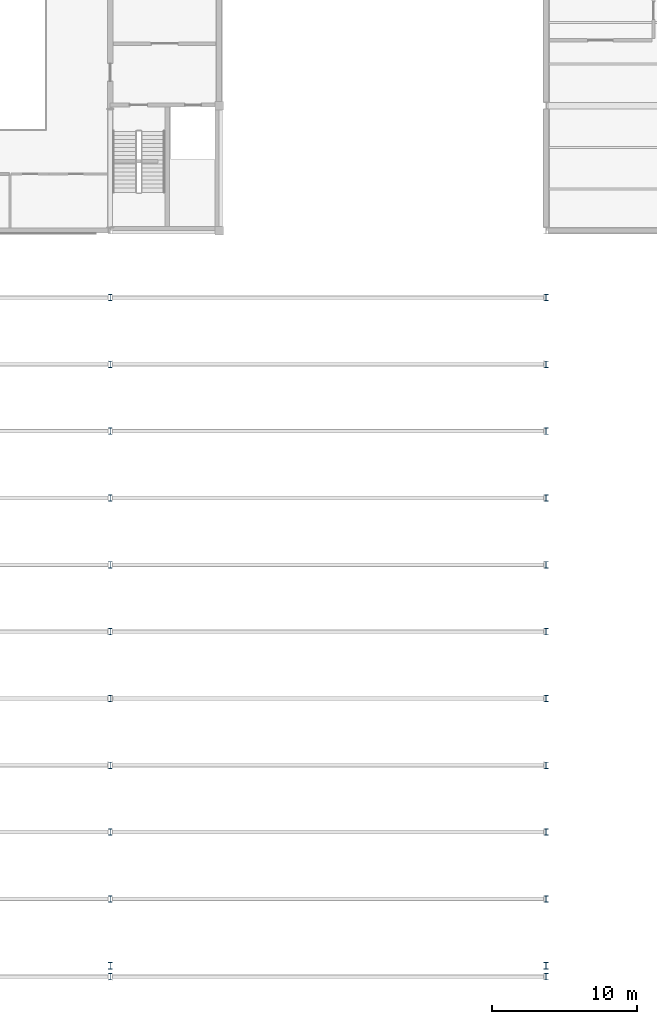
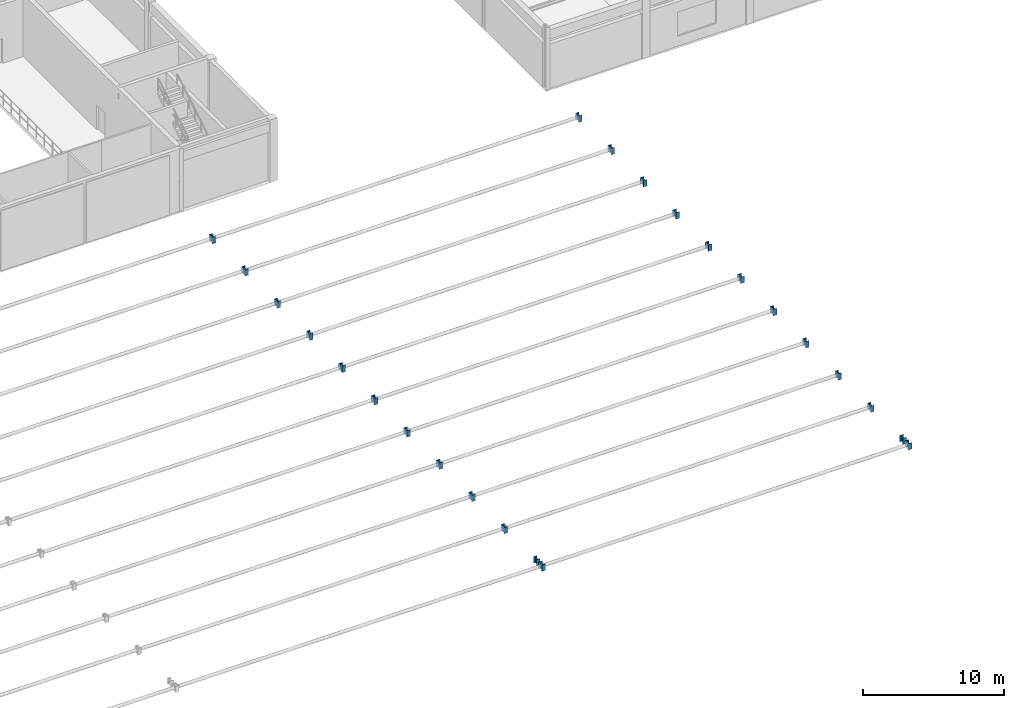
# One storey, part 9 of 38: 24 columns.
"""IFC4 building model written with IfcOpenShell, lengths in metres."""

import ifcopenshell
import ifcopenshell.guid

model = None  # the IFC model being written
_history = None  # IfcOwnerHistory: only IFC2X3 demands one
_inside = {}  # id of a spatial element -> (the spatial element, [elements in it])
_under = {}  # id of a project, library or spatial element -> (it, [spatial elements below it])
_declared = {}  # id of a project -> (the project, [libraries it declares])
_typed = {}  # id of a type object -> (the type object, [elements of that type])
_made_of = {}  # id of a material, layer set ... -> (it, [elements and type objects made of it])


def new_model(schema):
    """Start an empty IFC model of exactly this schema.

    Asked for "IFC4X3", IfcOpenShell would pick the latest addendum, in which some entities
    have other attributes; the version numbers below select the first issue.
    IFC2X3 requires an IfcOwnerHistory on every rooted entity: one is made here for all.
    """
    global model, _history
    if schema == "IFC4X3":
        model = ifcopenshell.file(schema_version=(4, 3, 0, 0))
    else:
        model = ifcopenshell.file(schema=schema)
    _inside.clear()
    _under.clear()
    _declared.clear()
    _typed.clear()
    _made_of.clear()
    _history = None
    if model.schema == "IFC2X3":
        org = make("IfcOrganization", Name="unknown")
        user = make(
            "IfcPersonAndOrganization",
            ThePerson=make("IfcPerson", FamilyName="unknown"),
            TheOrganization=org,
        )
        app = make(
            "IfcApplication",
            ApplicationDeveloper=org,
            Version="unknown",
            ApplicationFullName="unknown",
            ApplicationIdentifier="unknown",
        )
        _history = make(
            "IfcOwnerHistory",
            OwningUser=user,
            OwningApplication=app,
            ChangeAction="ADDED",
            CreationDate=0,
        )
    return model


def make(cls, **values):
    """One entity of the class cls with the attributes given. An attribute that is None is left unset."""
    return model.create_entity(
        cls, **{name: value for name, value in values.items() if value is not None}
    )


def rooted(cls, **values):
    """An entity with a GlobalId (a new one), such as an element, a storey or a relation."""
    return make(cls, GlobalId=ifcopenshell.guid.new(), OwnerHistory=_history, **values)


def si_unit(unit_type, name, prefix=None):
    """IfcSIUnit, for example si_unit("LENGTHUNIT", "METRE", prefix="MILLI")."""
    return make("IfcSIUnit", UnitType=unit_type, Prefix=prefix, Name=name)


def assignment(units):
    """IfcUnitAssignment: the units of a project."""
    return None if units is None else make("IfcUnitAssignment", Units=units)


def point(xyz):
    """IfcCartesianPoint."""
    return None if xyz is None else make("IfcCartesianPoint", Coordinates=xyz)


def direction(xyz):
    """IfcDirection."""
    return None if xyz is None else make("IfcDirection", DirectionRatios=xyz)


def frame(location, z_axis=None, x_axis=None):
    """IfcAxis2Placement3D, a coordinate frame: its origin and axes. An axis left out is left unset."""
    return make(
        "IfcAxis2Placement3D",
        Location=point(location),
        Axis=direction(z_axis),
        RefDirection=direction(x_axis),
    )


def frame_2d(location, x_axis=None):
    """IfcAxis2Placement2D, a coordinate frame in the plane: its origin and x axis."""
    return make(
        "IfcAxis2Placement2D", Location=point(location), RefDirection=direction(x_axis)
    )


def origin():
    """The frame at (0, 0, 0) with its axes left unset."""
    return frame((0.0, 0.0, 0.0))


def origin_2d():
    """The frame at (0, 0) in the plane with its x axis left unset."""
    return frame_2d((0.0, 0.0))


def place(relative_to, where):
    """IfcLocalPlacement: puts the frame where relative to a parent placement (None: the world)."""
    return make(
        "IfcLocalPlacement", PlacementRelTo=relative_to, RelativePlacement=where
    )


def context(
    kind, dimensions, precision=None, world=None, true_north=None, identifier=None
):
    """IfcGeometricRepresentationContext, for example the 3D "Model" context."""
    return make(
        "IfcGeometricRepresentationContext",
        ContextIdentifier=identifier,
        ContextType=kind,
        CoordinateSpaceDimension=dimensions,
        Precision=precision,
        WorldCoordinateSystem=world,
        TrueNorth=true_north,
    )


def subcontext(parent, identifier, kind, view, scale=None):
    """IfcGeometricRepresentationSubContext, for example "Body" below "Model"."""
    return make(
        "IfcGeometricRepresentationSubContext",
        ContextIdentifier=identifier,
        ContextType=kind,
        ParentContext=parent,
        TargetScale=scale,
        TargetView=view,
    )


def project(units=None, contexts=None):
    """IfcProject with its units and contexts."""
    return rooted(
        "IfcProject",
        Name="project",
        RepresentationContexts=contexts,
        UnitsInContext=assignment(units),
    )


def spatial(cls, under=None, at=None, **own):
    """A site, building, storey or space (cls), placed at a placement, below another one or the project."""
    s = rooted(cls, ObjectPlacement=at, **own)
    if under is not None:
        _under.setdefault(under.id(), (under, []))[1].append(s)
    return s


def profile(cls, at=None, kind="AREA", **sizes):
    """A parametric profile (cls). Its sizes go by their IFC names, for example OverallWidth=200.0."""
    return make(cls, ProfileType=kind, Position=at, **sizes)


def i_section(**sizes):
    """IfcIShapeProfileDef."""
    return profile("IfcIShapeProfileDef", **sizes)


def extrude(swept, where, along, depth):
    """IfcExtrudedAreaSolid: the profile swept, set in the frame where, extruded along a direction by depth."""
    return make(
        "IfcExtrudedAreaSolid",
        SweptArea=swept,
        Position=where,
        ExtrudedDirection=direction(along),
        Depth=depth,
    )


def shape(context_of_items, identifier, shape_type, items):
    """IfcShapeRepresentation: the items that make up one representation, for example the "Body"."""
    return make(
        "IfcShapeRepresentation",
        ContextOfItems=context_of_items,
        RepresentationIdentifier=identifier,
        RepresentationType=shape_type,
        Items=items,
    )


def material(Name=None, Category=None):
    """IfcMaterial."""
    return make("IfcMaterial", Name=Name, Category=Category)


def material_profile(
    of_material, cross_section, Name=None, Category=None, Priority=None
):
    """IfcMaterialProfile: a cross section and its material."""
    return make(
        "IfcMaterialProfile",
        Name=Name,
        Material=of_material,
        Profile=cross_section,
        Priority=Priority,
        Category=Category,
    )


def profile_set(profiles, Name=None, composite=None):
    """IfcMaterialProfileSet."""
    return make(
        "IfcMaterialProfileSet",
        Name=Name,
        MaterialProfiles=profiles,
        CompositeProfile=composite,
    )


def made_of(thing, what):
    """Note that an element or type object is made of a material, layer set ...; save() writes the relation."""
    if what is not None:
        _made_of.setdefault(what.id(), (what, []))[1].append(thing)
    return thing


def type_object(cls, material=None, **own):
    """A type object (cls), such as IfcWallType, which elements share."""
    return made_of(rooted(cls, **own), material)


def element(
    cls,
    number,
    at=None,
    inside=None,
    cuts=None,
    type_object=None,
    material=None,
    context=None,
    identifier="Body",
    shape_type=None,
    held_by="IfcProductDefinitionShape",
    body=None,
    shapes=None,
    **own,
):
    """One element of the class cls, such as IfcWall. Its Tag is "e" and its number.

    at: its placement. inside: the storey or other place that contains it. cuts: it is an
    opening in that element (IfcRelVoidsElement). A single representation is given by context,
    identifier, shape_type and body (its items); several are given by shapes. held_by: the class
    of the entity that holds the representations. save() writes the other relations.
    """
    e = rooted(cls, Tag="e%d" % number, ObjectPlacement=at, **own)
    if body is not None:
        shapes = [shape(context, identifier, shape_type, body)]
    if shapes is not None:
        e.Representation = make(held_by, Representations=shapes)
    if inside is not None:
        _inside.setdefault(inside.id(), (inside, []))[1].append(e)
    if cuts is not None:
        rooted(
            "IfcRelVoidsElement", RelatingBuildingElement=cuts, RelatedOpeningElement=e
        )
    if type_object is not None:
        _typed.setdefault(type_object.id(), (type_object, []))[1].append(e)
    return made_of(e, material)


def aggregate(whole, parts):
    """IfcRelAggregates: a whole, such as a stair, and the parts it consists of."""
    return rooted("IfcRelAggregates", RelatingObject=whole, RelatedObjects=parts)


def save(model, path):
    """Write the relations noted so far, then the file.

    IfcRelAggregates (storeys below a building ...), IfcRelContainedInSpatialStructure (elements
    in a storey), IfcRelDefinesByType, IfcRelAssociatesMaterial and IfcRelDeclares: one each for
    every whole, place, type object, material and project.
    """
    for whole, parts in _under.values():
        aggregate(whole, parts)
    for where, things in _inside.values():
        rooted(
            "IfcRelContainedInSpatialStructure",
            RelatedElements=things,
            RelatingStructure=where,
        )
    for kind, things in _typed.values():
        rooted("IfcRelDefinesByType", RelatedObjects=things, RelatingType=kind)
    for what, things in _made_of.values():
        rooted("IfcRelAssociatesMaterial", RelatedObjects=things, RelatingMaterial=what)
    for by, libraries in _declared.values():
        rooted("IfcRelDeclares", RelatingContext=by, RelatedDefinitions=libraries)
    model.write(path)


model = new_model("IFC4")

# Units and contexts
model_context = context("Model", 3, precision=1e-05, world=origin(), true_north=direction((0.0, 1.0)))
body_context = subcontext(model_context, "Body", "Model", "MODEL_VIEW")
ifc_project = project(units=[si_unit("LENGTHUNIT", "METRE"), si_unit("AREAUNIT", "SQUARE_METRE"), si_unit("VOLUMEUNIT", "CUBIC_METRE"), si_unit("PLANEANGLEUNIT", "RADIAN"), si_unit("MASSUNIT", "GRAM", prefix="KILO")], contexts=[model_context])

# Site, building, storey
site_placement = place(None, origin())
site = spatial("IfcSite", under=ifc_project, at=site_placement, CompositionType="ELEMENT")
building_placement = place(site_placement, origin())
building = spatial("IfcBuilding", under=site, at=building_placement, Name="Muzn Square Opera House", CompositionType="ELEMENT")
storey_placement = place(building_placement, frame((0.0, 0.0, 18.0)))
storey = spatial("IfcBuildingStorey", under=building, at=storey_placement, Name="L04", CompositionType="ELEMENT", Elevation=18.0)

# Columns
ifc_material = material(Name="Steel S355", Category="steel")
ifc_material_profile = material_profile(ifc_material, i_section(OverallWidth=0.300048828125, OverallDepth=0.449951171875, WebThickness=0.013916015625, FlangeThickness=0.02587890625, FilletRadius=0.027099609375, at=origin_2d()), Name="HEB 450", Category="steel")
ifc_profile_set = profile_set([ifc_material_profile], Name="Steel S355")
column_type = type_object("IfcColumnType", Name="Steel Gallery Column HEB450", PredefinedType="COLUMN", material=ifc_profile_set)
for number, where, z_axis, x_axis, name in (
    (1, (103.0, 21.25, 0.0), (0.0, 0.0, 1.0), (1.0, 0.0, 0.0), "Barrel Vault South Eave Pedestal L3"),
    (2, (103.0, 22.0, 0.0), (0.0, 0.0, 1.0), (1.0, 0.0, 0.0), "Barrel Vault Springing Pedestal L3-00"),
    (3, (103.0, 26.60009765625, 0.0), (0.0, 0.0, 1.0), (1.0, 0.0, 0.0), "Barrel Vault Springing Pedestal L3-01"),
    (4, (103.0, 31.199951171875, 0.0), (0.0, 0.0, 1.0), (1.0, 0.0, 0.0), "Barrel Vault Springing Pedestal L3-02"),
    (5, (103.0, 35.800048828125, 0.0), (0.0, 0.0, 1.0), (1.0, 0.0, 0.0), "Barrel Vault Springing Pedestal L3-03"),
    (6, (103.0, 40.39990234375, 0.0), (0.0, 0.0, 1.0), (1.0, 0.0, 0.0), "Barrel Vault Springing Pedestal L3-04"),
    (7, (103.0, 45.0, 0.0), (0.0, 0.0, 1.0), (1.0, 0.0, 0.0), "Barrel Vault Springing Pedestal L3-05"),
    (8, (103.0, 49.60009765625, 0.0), (0.0, 0.0, 1.0), (1.0, 0.0, 0.0), "Barrel Vault Springing Pedestal L3-06"),
    (9, (103.0, 54.199951171875, 0.0), (0.0, 0.0, 1.0), (1.0, 0.0, 0.0), "Barrel Vault Springing Pedestal L3-07"),
    (10, (103.0, 58.800048828125, 0.0), (0.0, 0.0, 1.0), (1.0, 0.0, 0.0), "Barrel Vault Springing Pedestal L3-08"),
    (11, (103.0, 63.39990234375, 0.0), (0.0, 0.0, 1.0), (1.0, 0.0, 0.0), "Barrel Vault Springing Pedestal L3-09"),
    (12, (103.0, 68.0, 0.0), (0.0, 0.0, 1.0), (1.0, 0.0, 0.0), "Barrel Vault Springing Pedestal L3-10"),
    (13, (133.0, 21.25, 0.0), (0.0, 0.0, 1.0), (1.0, 0.0, 0.0), "Barrel Vault South Eave Pedestal L4"),
    (14, (133.0, 22.0, 0.0), (0.0, 0.0, 1.0), (1.0, 0.0, 0.0), "Barrel Vault Springing Pedestal L4-00"),
    (15, (133.0, 26.60009765625, 0.0), (0.0, 0.0, 1.0), (1.0, 0.0, 0.0), "Barrel Vault Springing Pedestal L4-01"),
    (16, (133.0, 31.199951171875, 0.0), (0.0, 0.0, 1.0), (1.0, 0.0, 0.0), "Barrel Vault Springing Pedestal L4-02"),
    (17, (133.0, 35.800048828125, 0.0), (0.0, 0.0, 1.0), (1.0, 0.0, 0.0), "Barrel Vault Springing Pedestal L4-03"),
    (18, (133.0, 40.39990234375, 0.0), (0.0, 0.0, 1.0), (1.0, 0.0, 0.0), "Barrel Vault Springing Pedestal L4-04"),
    (19, (133.0, 45.0, 0.0), (0.0, 0.0, 1.0), (1.0, 0.0, 0.0), "Barrel Vault Springing Pedestal L4-05"),
    (20, (133.0, 49.60009765625, 0.0), (0.0, 0.0, 1.0), (1.0, 0.0, 0.0), "Barrel Vault Springing Pedestal L4-06"),
    (21, (133.0, 54.199951171875, 0.0), (0.0, 0.0, 1.0), (1.0, 0.0, 0.0), "Barrel Vault Springing Pedestal L4-07"),
    (22, (133.0, 58.800048828125, 0.0), (0.0, 0.0, 1.0), (1.0, 0.0, 0.0), "Barrel Vault Springing Pedestal L4-08"),
    (23, (133.0, 63.39990234375, 0.0), (0.0, 0.0, 1.0), (1.0, 0.0, 0.0), "Barrel Vault Springing Pedestal L4-09"),
    (24, (133.0, 68.0, 0.0), (0.0, 0.0, 1.0), (1.0, 0.0, 0.0), "Barrel Vault Springing Pedestal L4-10"),
):
    element("IfcColumn", number, at=place(storey_placement, frame(where, z_axis=z_axis, x_axis=x_axis)), inside=storey, type_object=column_type, Name=name, PredefinedType="COLUMN", context=body_context, shape_type="SweptSolid", body=[
        extrude(i_section(OverallWidth=0.300048828125, OverallDepth=0.449951171875, WebThickness=0.013916015625, FlangeThickness=0.02587890625, FilletRadius=0.027099609375, at=origin_2d()), origin(), (0.0, 0.0, 1.0), 0.550048828125),
    ])

save(model, "model.ifc")
